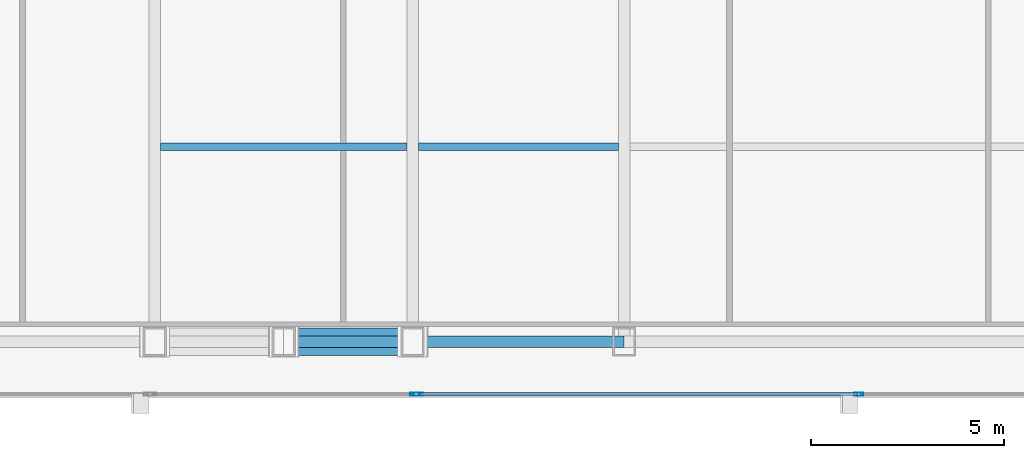
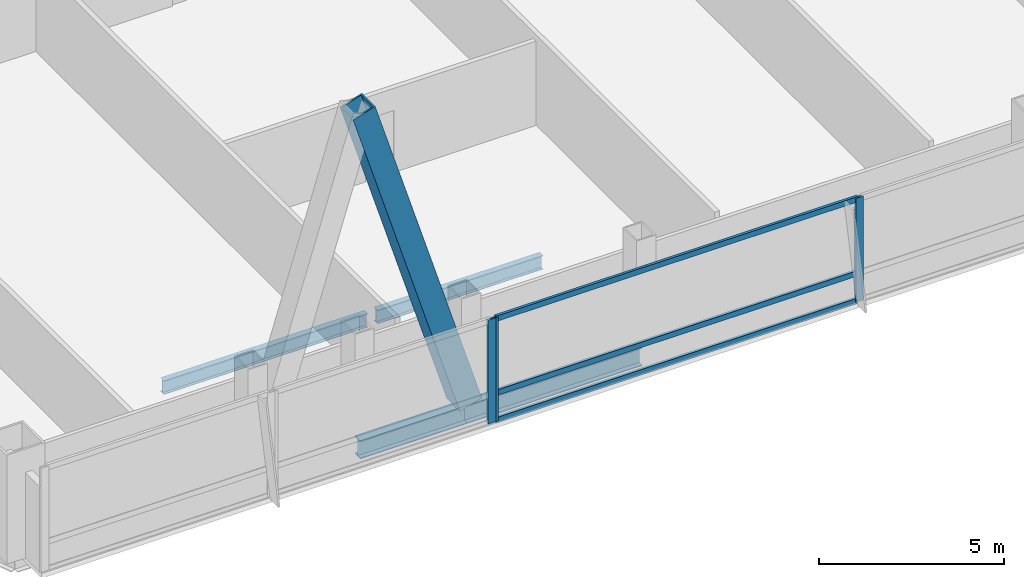
# One storey, part 8 of 32: 7 members, 4 beams, 2 elements without a shape of their own.
"""IFC4 building model written with IfcOpenShell, lengths in metres."""

from ifc_helpers import new_model, si_unit, direction, frame, origin, origin_2d, place, context, subcontext, project, spatial, hollow_rectangle, i_section, extrude, material, material_profile, profile_set, type_object, element, aggregate, save


model = new_model("IFC4")

# Units and contexts
model_context = context("Model", 3, precision=1e-05, world=origin(), true_north=direction((0.0, 1.0)))
body_context = subcontext(model_context, "Body", "Model", "MODEL_VIEW")
ifc_project = project(units=[si_unit("LENGTHUNIT", "METRE"), si_unit("AREAUNIT", "SQUARE_METRE"), si_unit("VOLUMEUNIT", "CUBIC_METRE"), si_unit("PLANEANGLEUNIT", "RADIAN"), si_unit("MASSUNIT", "GRAM", prefix="KILO")], contexts=[model_context])

# Site, building, storey
site_placement = place(None, origin())
site = spatial("IfcSite", under=ifc_project, at=site_placement, CompositionType="ELEMENT")
building_placement = place(site_placement, origin())
building = spatial("IfcBuilding", under=site, at=building_placement, Name="Khoronbel Lancet Exchange", CompositionType="ELEMENT")
storey_placement = place(building_placement, frame((0.0, 0.0, 221.0)))
storey = spatial("IfcBuildingStorey", under=building, at=storey_placement, Name="L56", CompositionType="ELEMENT", Elevation=221.0)

# Beams
ifc_material_1 = material(Name="Steel S355", Category="steel")
ifc_material_profile_1 = material_profile(ifc_material_1, i_section(OverallWidth=0.18994140625, OverallDepth=0.449951171875, WebThickness=0.009521484375, FlangeThickness=0.0146484375, at=origin_2d()), Name="IPE 450")
ifc_profile_set_1 = profile_set([ifc_material_profile_1], Name="Steel S355")
beam_type_1 = type_object("IfcBeamType", Name="BM-BJ4", PredefinedType="JOIST", material=ifc_profile_set_1)
beam_1_placement = place(storey_placement, frame((18.375, 15.199951171875, -0.385009765625), z_axis=(1.0, 0.0, 0.0), x_axis=(0.0, 1.0, 0.0)))
element("IfcBeam", 1, at=beam_1_placement, inside=storey, type_object=beam_type_1, Name="Level L56 secondary composite joist J01", PredefinedType="JOIST", context=body_context, shape_type="SweptSolid", body=[
    extrude(i_section(OverallWidth=0.18994140625, OverallDepth=0.449951171875, WebThickness=0.009521484375, FlangeThickness=0.0146484375, at=origin_2d()), origin(), (0.0, 0.0, 1.0), 6.375),
])
beam_2_placement = place(storey_placement, frame((25.050048828125, 15.199951171875, -0.385009765625), z_axis=(1.0, 0.0, 0.0), x_axis=(0.0, 1.0, 0.0)))
element("IfcBeam", 2, at=beam_2_placement, inside=storey, type_object=beam_type_1, Name="Level L56 secondary composite joist J02", PredefinedType="JOIST", context=body_context, shape_type="SweptSolid", body=[
    extrude(i_section(OverallWidth=0.18994140625, OverallDepth=0.449951171875, WebThickness=0.009521484375, FlangeThickness=0.0146484375, at=origin_2d()), origin(), (0.0, 0.0, 1.0), 5.175048828125),
])
ifc_material_profile_2 = material_profile(ifc_material_1, i_section(OverallWidth=0.300048828125, OverallDepth=0.60009765625, WebThickness=0.015380859375, FlangeThickness=0.030029296875, at=origin_2d()), Name="HEB 600")
ifc_profile_set_2 = profile_set([ifc_material_profile_2], Name="Steel S355")
beam_type_2 = type_object("IfcBeamType", Name="BM-BSP2", PredefinedType="SPANDREL", material=ifc_profile_set_2)
beam_3_placement = place(storey_placement, frame((21.5625, 10.14990234375, -0.4599609375), z_axis=(1.0, 0.0, 0.0), x_axis=(0.0, 1.0, 0.0)))
element("IfcBeam", 3, at=beam_3_placement, inside=storey, type_object=beam_type_2, Name="Level L56 perimeter spandrel beam SP03", PredefinedType="SPANDREL", context=body_context, shape_type="SweptSolid", body=[
    extrude(i_section(OverallWidth=0.300048828125, OverallDepth=0.60009765625, WebThickness=0.015380859375, FlangeThickness=0.030029296875, at=origin_2d()), origin(), (0.0, 0.0, 1.0), 3.33740234375),
])
beam_4_placement = place(storey_placement, frame((24.89990234375, 10.14990234375, -0.4599609375), z_axis=(1.0, 0.0, 0.0), x_axis=(0.0, 1.0, 0.0)))
element("IfcBeam", 4, at=beam_4_placement, inside=storey, type_object=beam_type_2, Name="Level L56 perimeter spandrel beam SP04", PredefinedType="SPANDREL", context=body_context, shape_type="SweptSolid", body=[
    extrude(i_section(OverallWidth=0.300048828125, OverallDepth=0.60009765625, WebThickness=0.015380859375, FlangeThickness=0.030029296875, at=origin_2d()), origin(), (0.0, 0.0, 1.0), 5.47509765625),
])

# Curtain wall, member
ifc_material_2 = material(Name="Low-E Solar Control Insulating Glass", Category="glass")
curtain_wall_type = type_object("IfcCurtainWallType", Name="CW-3", PredefinedType="NOTDEFINED", material=ifc_material_2)
curtain_wall_1_placement = place(storey_placement, origin())
curtain_wall_1 = element("IfcCurtainWall", 5, at=curtain_wall_1_placement, inside=storey, type_object=curtain_wall_type, Name="Unitised curtain wall CW-L56-SWB", PredefinedType="NOTDEFINED")
ifc_material_3 = material(Name="Bronze-Anodised Aluminium 6063-T6", Category="aluminium")
ifc_material_profile_3 = material_profile(ifc_material_3, hollow_rectangle(XDim=0.0849609375, YDim=0.239990234375, WallThickness=0.006103515625, at=origin_2d()), Name="ALU MULLION 85x240")
ifc_profile_set_3 = profile_set([ifc_material_profile_3], Name="Bronze-Anodised Aluminium 6063-T6")
member_type_1 = type_object("IfcMemberType", Name="MEM-CWM1", PredefinedType="MULLION", material=ifc_profile_set_3)
member_1_placement = place(storey_placement, frame((24.95751953125, 8.7900390625, 0.0), z_axis=(0.0, 0.0, 1.0), x_axis=(0.0, 1.0, 0.0)))
member_1 = element("IfcMember", 6, at=member_1_placement, type_object=member_type_1, Name="CW3 mullion 2", PredefinedType="MULLION", context=body_context, shape_type="SweptSolid", body=[
    extrude(hollow_rectangle(XDim=0.0849609375, YDim=0.239990234375, WallThickness=0.006103515625, at=origin_2d()), origin(), (0.0, 0.0, 1.0), 3.43994140625),
])
aggregate(curtain_wall_1, [member_1])

# Curtain wall, members
curtain_wall_2_placement = place(storey_placement, origin())
curtain_wall_2 = element("IfcCurtainWall", 7, at=curtain_wall_2_placement, inside=storey, type_object=curtain_wall_type, Name="Unitised curtain wall CW-L56-SCV", PredefinedType="NOTDEFINED")
member_2_placement = place(storey_placement, frame((25.04248046875, 8.7900390625, 0.0), z_axis=(0.0, 0.0, 1.0), x_axis=(0.0, 1.0, 0.0)))
member_2 = element("IfcMember", 8, at=member_2_placement, type_object=member_type_1, Name="CW3 mullion 1", PredefinedType="MULLION", context=body_context, shape_type="SweptSolid", body=[
    extrude(hollow_rectangle(XDim=0.0849609375, YDim=0.239990234375, WallThickness=0.006103515625, at=origin_2d()), origin(), (0.0, 0.0, 1.0), 3.43994140625),
])
member_3_placement = place(storey_placement, frame((36.449951171875, 8.7900390625, 0.0), z_axis=(0.0, 0.0, 1.0), x_axis=(0.0, 1.0, 0.0)))
member_3 = element("IfcMember", 9, at=member_3_placement, type_object=member_type_1, Name="CW3 mullion 2", PredefinedType="MULLION", context=body_context, shape_type="SweptSolid", body=[
    extrude(hollow_rectangle(XDim=0.0849609375, YDim=0.239990234375, WallThickness=0.006103515625, at=origin_2d()), origin(), (0.0, 0.0, 1.0), 3.43994140625),
])
ifc_material_profile_4 = material_profile(ifc_material_3, hollow_rectangle(XDim=0.0849609375, YDim=0.179931640625, WallThickness=0.0048828125, at=origin_2d()), Name="ALU TRANSOM 85x180")
ifc_profile_set_4 = profile_set([ifc_material_profile_4], Name="Bronze-Anodised Aluminium 6063-T6")
member_type_2 = type_object("IfcMemberType", Name="MEM-CWT1", PredefinedType="USERDEFINED", material=ifc_profile_set_4)
member_4_placement = place(storey_placement, frame((25.0849609375, 8.7900390625, 0.04248046875), z_axis=(1.0, 0.0, 0.0), x_axis=(0.0, 1.0, 0.0)))
member_4 = element("IfcMember", 10, at=member_4_placement, type_object=member_type_2, Name="CW3 transom 1.1", ObjectType="TRANSOM", PredefinedType="USERDEFINED", context=body_context, shape_type="SweptSolid", body=[
    extrude(hollow_rectangle(XDim=0.0849609375, YDim=0.179931640625, WallThickness=0.0048828125, at=origin_2d()), origin(), (0.0, 0.0, 1.0), 11.322509765625),
])
member_5_placement = place(storey_placement, frame((25.0849609375, 8.7900390625, 0.949951171875), z_axis=(1.0, 0.0, 0.0), x_axis=(0.0, 1.0, 0.0)))
member_5 = element("IfcMember", 11, at=member_5_placement, type_object=member_type_2, Name="CW3 transom 1.2", ObjectType="TRANSOM", PredefinedType="USERDEFINED", context=body_context, shape_type="SweptSolid", body=[
    extrude(hollow_rectangle(XDim=0.0849609375, YDim=0.179931640625, WallThickness=0.0048828125, at=origin_2d()), origin(), (0.0, 0.0, 1.0), 11.322509765625),
])
member_6_placement = place(storey_placement, frame((25.0849609375, 8.7900390625, 3.3974609375), z_axis=(1.0, 0.0, 0.0), x_axis=(0.0, 1.0, 0.0)))
member_6 = element("IfcMember", 12, at=member_6_placement, type_object=member_type_2, Name="CW3 transom 1.3", ObjectType="TRANSOM", PredefinedType="USERDEFINED", context=body_context, shape_type="SweptSolid", body=[
    extrude(hollow_rectangle(XDim=0.0849609375, YDim=0.179931640625, WallThickness=0.0048828125, at=origin_2d()), origin(), (0.0, 0.0, 1.0), 11.322509765625),
])
aggregate(curtain_wall_2, [member_2, member_3, member_4, member_5, member_6])

# Member
ifc_material_4 = material(Name="Steel S460", Category="steel")
ifc_material_profile_5 = material_profile(ifc_material_4, hollow_rectangle(XDim=0.719970703125, YDim=0.719970703125, WallThickness=0.050048828125, at=origin_2d()), Name="BOX 720x720x50")
ifc_profile_set_5 = profile_set([ifc_material_profile_5], Name="Steel S460")
member_type_3 = type_object("IfcMemberType", Name="MEM-MB2", PredefinedType="BRACE", material=ifc_profile_set_5)
member_7_placement = place(storey_placement, frame((24.89990234375, 10.14990234375, 0.0), z_axis=(-0.295242108906, 0.0, 0.955422470496), x_axis=(0.0, -1.0, 0.0)))
element("IfcMember", 13, at=member_7_placement, inside=storey, type_object=member_type_3, Name="Perimeter lancet brace tier 19 S-W-R", PredefinedType="BRACE", context=body_context, shape_type="SweptSolid", body=[
    extrude(hollow_rectangle(XDim=0.719970703125, YDim=0.719970703125, WallThickness=0.050048828125, at=origin_2d()), origin(), (0.0, 0.0, 1.0), 11.303955078125),
])

save(model, "model.ifc")
